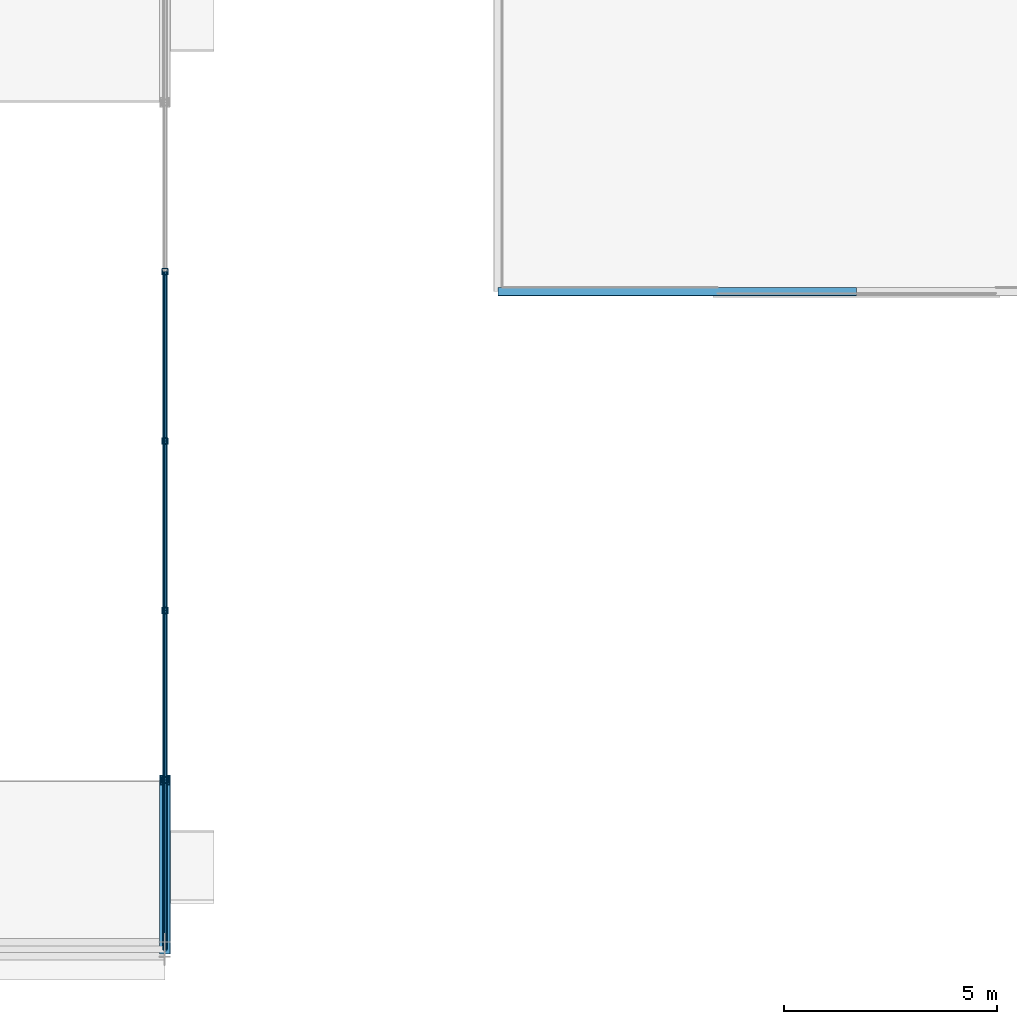
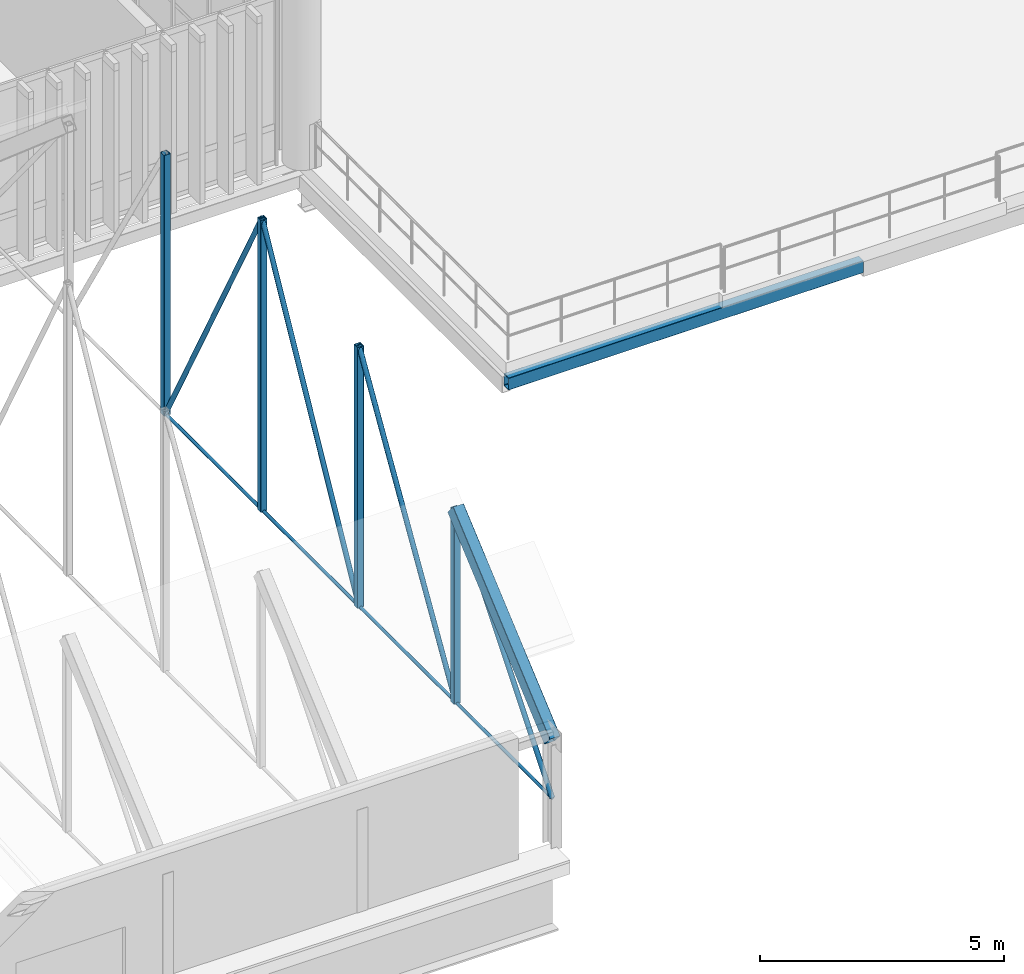
# One storey, part 20 of 109: 12 members, 2 beams.
"""IFC4 building model written with IfcOpenShell, lengths in metres."""

from ifc_helpers import new_model, si_unit, direction, frame, origin_with_axes, origin_2d_with_axis, place, context, subcontext, project, spatial, hollow_rectangle, circle, hollow_circle, extrude, material, material_profile, profile_set, type_object, element, save


model = new_model("IFC4")

# Units and contexts
model_context = context("Model", 3, precision=1e-05, world=origin_with_axes(), true_north=direction((0.0, 1.0)))
body_context = subcontext(model_context, "Body", "Model", "MODEL_VIEW")
ifc_project = project(units=[si_unit("LENGTHUNIT", "METRE"), si_unit("AREAUNIT", "SQUARE_METRE"), si_unit("VOLUMEUNIT", "CUBIC_METRE"), si_unit("PLANEANGLEUNIT", "RADIAN"), si_unit("MASSUNIT", "GRAM", prefix="KILO"), si_unit("THERMODYNAMICTEMPERATUREUNIT", "KELVIN")], contexts=[model_context])

# Site, building, storey
site_placement = place(None, origin_with_axes())
site = spatial("IfcSite", under=ifc_project, at=site_placement, CompositionType="ELEMENT")
building_placement = place(site_placement, origin_with_axes())
building = spatial("IfcBuilding", under=site, at=building_placement, Name="Montbau Bow Law Courts", CompositionType="ELEMENT")
storey_placement = place(building_placement, frame((0.0, 0.0, 10.8), z_axis=(0.0, 0.0, 1.0), x_axis=(1.0, 0.0, 0.0)))
storey = spatial("IfcBuildingStorey", under=building, at=storey_placement, Name="L02", CompositionType="ELEMENT", Elevation=10.8)

# Beams
ifc_material = material(Name="Steel CSA G40.21 Grade 350WT (350 MPa)", Category="steel")
ifc_material_profile_1 = material_profile(ifc_material, hollow_rectangle(XDim=0.254, YDim=0.356, WallThickness=0.0127, InnerFilletRadius=0.0254, OuterFilletRadius=0.0127, at=origin_2d_with_axis()), Name="HSS356X254X13", Category="Main", Priority=0)
ifc_profile_set_1 = profile_set([ifc_material_profile_1], Name="Steel CSA G40.21 Grade 350WT (350 MPa)")
beam_type_1 = type_object("IfcBeamType", Name="B-ARC-01", PredefinedType="USERDEFINED", material=ifc_profile_set_1)
beam_1_placement = place(None, frame((39.0, 6.8, 13.429), z_axis=(0.0, 0.758621798, 0.651531249), x_axis=(-1.0, 0.0, 0.0)))
element("IfcBeam", 1, at=beam_1_placement, inside=storey, type_object=beam_type_1, Name="Barrel vault roof truss arch rib V1-043", ObjectType="ARCH_RIB", PredefinedType="USERDEFINED", context=body_context, shape_type="SweptSolid", body=[
    extrude(hollow_rectangle(XDim=0.254, YDim=0.356, WallThickness=0.0127, InnerFilletRadius=0.0254, OuterFilletRadius=0.0127, at=origin_2d_with_axis()), origin_with_axes(), (0.0, 0.0, 1.0), 5.22922),
])
ifc_material_profile_2 = material_profile(ifc_material, hollow_rectangle(XDim=0.203, YDim=0.305, WallThickness=0.0127, InnerFilletRadius=0.0254, OuterFilletRadius=0.0127, at=origin_2d_with_axis()), Name="HSS305X203X13", Category="Main", Priority=0)
ifc_profile_set_2 = profile_set([ifc_material_profile_2], Name="Steel CSA G40.21 Grade 350WT (350 MPa)")
beam_type_2 = type_object("IfcBeamType", Name="B-SPN-02", PredefinedType="SPANDREL", material=ifc_profile_set_2)
beam_2_placement = place(None, frame((46.8, 22.2, 10.328), z_axis=(1.0, 0.0, 0.0), x_axis=(0.0, 1.0, 0.0)))
element("IfcBeam", 2, at=beam_2_placement, inside=storey, type_object=beam_type_2, Name="SPN-L02-S0466:bm2_0469", PredefinedType="SPANDREL", context=body_context, shape_type="SweptSolid", body=[
    extrude(hollow_rectangle(XDim=0.203, YDim=0.305, WallThickness=0.0127, InnerFilletRadius=0.0254, OuterFilletRadius=0.0127, at=origin_2d_with_axis()), origin_with_axes(), (0.0, 0.0, 1.0), 8.4),
])

# Members
ifc_material_profile_3 = material_profile(ifc_material, hollow_rectangle(XDim=0.152, YDim=0.152, WallThickness=0.0095, InnerFilletRadius=0.019, OuterFilletRadius=0.0095, at=origin_2d_with_axis()), Name="HSS152X152X9.5", Category="Main", Priority=0)
ifc_profile_set_3 = profile_set([ifc_material_profile_3], Name="Steel CSA G40.21 Grade 350WT (350 MPa)")
member_type_1 = type_object("IfcMemberType", Name="M-STR-02", PredefinedType="STRUT", material=ifc_profile_set_3)
member_1_placement = place(None, frame((39.0, 10.767, 11.979), z_axis=(0.0, 0.0, 1.0), x_axis=(1.0, 0.0, 0.0)))
element("IfcMember", 3, at=member_1_placement, inside=storey, type_object=member_type_1, Name="Barrel vault roof truss web post V1-08-1", PredefinedType="STRUT", context=body_context, shape_type="SweptSolid", body=[
    extrude(hollow_rectangle(XDim=0.152, YDim=0.152, WallThickness=0.0095, InnerFilletRadius=0.019, OuterFilletRadius=0.0095, at=origin_2d_with_axis()), origin_with_axes(), (0.0, 0.0, 1.0), 4.857),
])
member_2_placement = place(None, frame((39.0, 14.733, 11.979), z_axis=(0.0, 0.0, 1.0), x_axis=(1.0, 0.0, 0.0)))
element("IfcMember", 4, at=member_2_placement, inside=storey, type_object=member_type_1, Name="Barrel vault roof truss web post V1-08-2", PredefinedType="STRUT", context=body_context, shape_type="SweptSolid", body=[
    extrude(hollow_rectangle(XDim=0.152, YDim=0.152, WallThickness=0.0095, InnerFilletRadius=0.019, OuterFilletRadius=0.0095, at=origin_2d_with_axis()), origin_with_axes(), (0.0, 0.0, 1.0), 6.532),
])
member_3_placement = place(None, frame((39.0, 18.7, 11.979), z_axis=(0.0, 0.0, 1.0), x_axis=(1.0, 0.0, 0.0)))
element("IfcMember", 5, at=member_3_placement, inside=storey, type_object=member_type_1, Name="Barrel vault roof truss web post V1-08-3", PredefinedType="STRUT", context=body_context, shape_type="SweptSolid", body=[
    extrude(hollow_rectangle(XDim=0.152, YDim=0.152, WallThickness=0.0095, InnerFilletRadius=0.019, OuterFilletRadius=0.0095, at=origin_2d_with_axis()), origin_with_axes(), (0.0, 0.0, 1.0), 7.306),
])
member_4_placement = place(None, frame((39.0, 22.667, 11.979), z_axis=(0.0, 0.0, 1.0), x_axis=(1.0, 0.0, 0.0)))
element("IfcMember", 6, at=member_4_placement, inside=storey, type_object=member_type_1, Name="Barrel vault roof truss web post V1-08-4", PredefinedType="STRUT", context=body_context, shape_type="SweptSolid", body=[
    extrude(hollow_rectangle(XDim=0.152, YDim=0.152, WallThickness=0.0095, InnerFilletRadius=0.019, OuterFilletRadius=0.0095, at=origin_2d_with_axis()), origin_with_axes(), (0.0, 0.0, 1.0), 6.532),
])
ifc_material_profile_4 = material_profile(ifc_material, hollow_circle(Radius=0.057, WallThickness=0.008, at=origin_2d_with_axis()), Name="HSS114X8.0", Category="Main", Priority=0)
ifc_profile_set_4 = profile_set([ifc_material_profile_4], Name="Steel CSA G40.21 Grade 350WT (350 MPa)")
member_type_2 = type_object("IfcMemberType", Name="M-STR-03", PredefinedType="STRUT", material=ifc_profile_set_4)
member_5_placement = place(None, frame((39.0, 6.8, 11.979), z_axis=(0.0, 0.632577617, 0.774496971), x_axis=(-1.0, 0.0, 0.0)))
element("IfcMember", 7, at=member_5_placement, inside=storey, type_object=member_type_2, Name="Barrel vault roof truss web diagonal V1-08-1", PredefinedType="STRUT", context=body_context, shape_type="SweptSolid", body=[
    extrude(hollow_circle(Radius=0.057, WallThickness=0.008, at=origin_2d_with_axis()), origin_with_axes(), (0.0, 0.0, 1.0), 6.271167),
])
member_6_placement = place(None, frame((39.0, 10.767, 11.979), z_axis=(0.0, 0.518991793, 0.854779222), x_axis=(-1.0, 0.0, 0.0)))
element("IfcMember", 8, at=member_6_placement, inside=storey, type_object=member_type_2, Name="Barrel vault roof truss web diagonal V1-08-2", PredefinedType="STRUT", context=body_context, shape_type="SweptSolid", body=[
    extrude(hollow_circle(Radius=0.057, WallThickness=0.008, at=origin_2d_with_axis()), origin_with_axes(), (0.0, 0.0, 1.0), 7.641739),
])
for number, where, z_axis, x_axis, name in (
    (9, (39.0, 14.733, 11.979), (0.0, 0.47717415, 0.878808757), (-1.0, 0.0, 0.0), "Barrel vault roof truss web diagonal V1-08-3"),
    (10, (39.0, 18.7, 19.285), (0.0, 0.47717415, -0.878808757), (-1.0, 0.0, 0.0), "Barrel vault roof truss web diagonal V1-08-4"),
):
    element("IfcMember", number, at=place(None, frame(where, z_axis=z_axis, x_axis=x_axis)), inside=storey, type_object=member_type_2, Name=name, PredefinedType="STRUT", context=body_context, shape_type="SweptSolid", body=[
        extrude(hollow_circle(Radius=0.057, WallThickness=0.008, at=origin_2d_with_axis()), origin_with_axes(), (0.0, 0.0, 1.0), 8.313527),
    ])
ifc_material_profile_5 = material_profile(ifc_material, circle(Radius=0.038, at=origin_2d_with_axis()), Name="ROD76", Category="Main", Priority=0)
ifc_profile_set_5 = profile_set([ifc_material_profile_5], Name="Steel CSA G40.21 Grade 350WT (350 MPa)")
member_type_3 = type_object("IfcMemberType", Name="M-TIE-01", PredefinedType="USERDEFINED", material=ifc_profile_set_5)
member_7_placement = place(None, frame((39.0, 6.8, 11.979), z_axis=(0.0, 1.0, 0.0), x_axis=(-1.0, 0.0, 0.0)))
element("IfcMember", 11, at=member_7_placement, inside=storey, type_object=member_type_3, Name="Barrel vault roof truss tie V1-043", ObjectType="TIEBAR", PredefinedType="USERDEFINED", context=body_context, shape_type="SweptSolid", body=[
    extrude(circle(Radius=0.038, at=origin_2d_with_axis()), origin_with_axes(), (0.0, 0.0, 1.0), 3.967),
])
member_8_placement = place(None, frame((39.0, 10.767, 11.979), z_axis=(0.0, 1.0, 0.0), x_axis=(-1.0, 0.0, 0.0)))
element("IfcMember", 12, at=member_8_placement, inside=storey, type_object=member_type_3, Name="Barrel vault roof truss tie V1-044", ObjectType="TIEBAR", PredefinedType="USERDEFINED", context=body_context, shape_type="SweptSolid", body=[
    extrude(circle(Radius=0.038, at=origin_2d_with_axis()), origin_with_axes(), (0.0, 0.0, 1.0), 3.966),
])
for number, where, z_axis, x_axis, name in (
    (13, (39.0, 14.733, 11.979), (0.0, 1.0, 0.0), (-1.0, 0.0, 0.0), "Barrel vault roof truss tie V1-045"),
    (14, (39.0, 18.7, 11.979), (0.0, 1.0, 0.0), (-1.0, 0.0, 0.0), "Barrel vault roof truss tie V1-046"),
):
    element("IfcMember", number, at=place(None, frame(where, z_axis=z_axis, x_axis=x_axis)), inside=storey, type_object=member_type_3, Name=name, ObjectType="TIEBAR", PredefinedType="USERDEFINED", context=body_context, shape_type="SweptSolid", body=[
        extrude(circle(Radius=0.038, at=origin_2d_with_axis()), origin_with_axes(), (0.0, 0.0, 1.0), 3.967),
    ])

save(model, "model.ifc")
